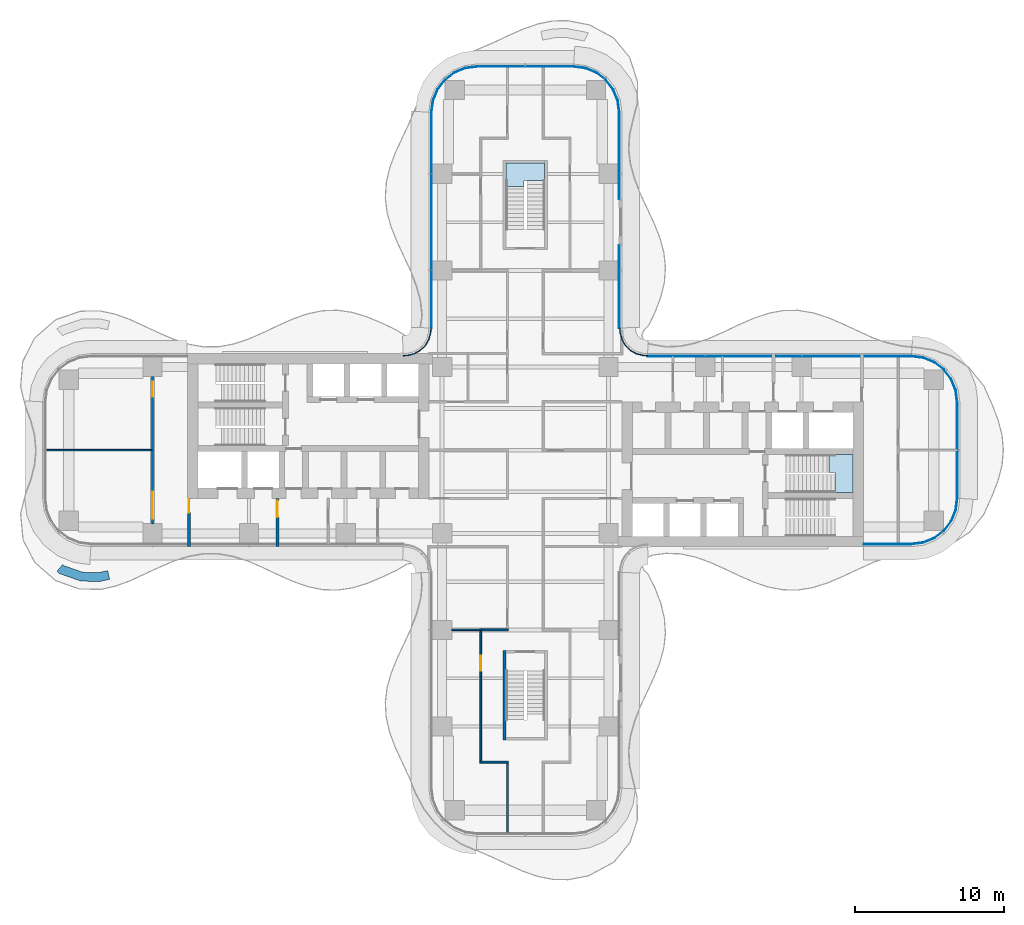
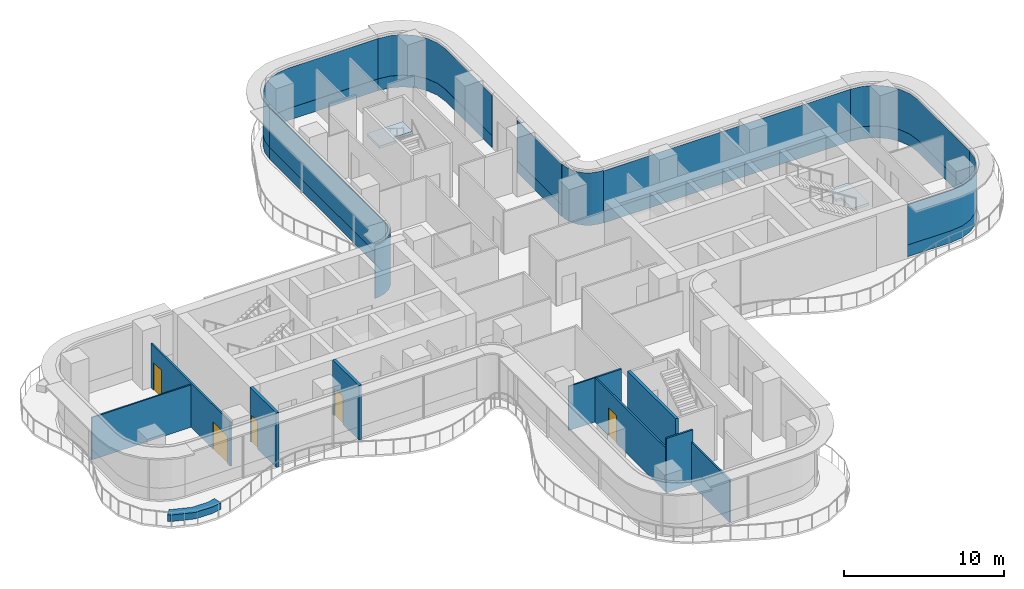
# One storey, part 14 of 20: 16 plates, 11 walls, 5 doors, 2 slabs, 5 openings, 11 elements without a shape of their own.
"""IFC4 building model written with IfcOpenShell, lengths in metres."""

from ifc_helpers import new_model, si_unit, direction, frame, frame_2d, origin, place, context, subcontext, project, spatial, polyline, rectangle, outline, extrude, source, transform, mapped, material, layer, layer_set, type_object, element, fill, aggregate, save


model = new_model("IFC4")

# Units and contexts
model_context = context("Model", 3, precision=1e-05, world=origin(), true_north=direction((0.0, 1.0)))
body_context = subcontext(model_context, "Body", "Model", "MODEL_VIEW")
ifc_project = project(units=[si_unit("LENGTHUNIT", "METRE"), si_unit("AREAUNIT", "SQUARE_METRE"), si_unit("VOLUMEUNIT", "CUBIC_METRE"), si_unit("PLANEANGLEUNIT", "RADIAN"), si_unit("MASSUNIT", "GRAM", prefix="KILO")], contexts=[model_context])

# Site, building, storey
site_placement = place(None, origin())
site = spatial("IfcSite", under=ifc_project, at=site_placement, CompositionType="ELEMENT")
building_placement = place(site_placement, origin())
building = spatial("IfcBuilding", under=site, at=building_placement, Name="Trellis Farm Tower", CompositionType="ELEMENT")
storey_placement = place(building_placement, frame((0.0, 0.0, 151.5)))
storey = spatial("IfcBuildingStorey", under=building, at=storey_placement, Name="L32", CompositionType="ELEMENT", Elevation=151.5)

# Curtain wall, plate
ifc_material_1 = material(Name="Aluminium and glass curtain wall", Category="aluminium")
ifc_layer_1 = layer(ifc_material_1, 0.18994140625)
ifc_layer_set_1 = layer_set([ifc_layer_1], Name="RIBBON CURTAIN WALL CW1")
curtain_wall_type_1 = type_object("IfcCurtainWallType", Name="RIBBON CURTAIN WALL CW1", PredefinedType="NOTDEFINED", material=ifc_layer_set_1)
placement_1 = place(storey_placement, origin())
curtain_wall_1 = element("IfcCurtainWall", 1, at=placement_1, inside=storey, type_object=curtain_wall_type_1, Name="CW1 006", PredefinedType="NOTDEFINED")
ifc_material_2 = material(Name="Clear insulated glass", Category="glass")
ifc_layer_2 = layer(ifc_material_2, 0.0400390625)
ifc_layer_set_2 = layer_set([ifc_layer_2], Name="CW1 GLASS PANEL 40")
plate_type_1 = type_object("IfcPlateType", Name="CW1 GLASS PANEL 40", PredefinedType="CURTAIN_PANEL", material=ifc_layer_set_2)
placement_2 = place(storey_placement, frame((0.0, 0.0, 0.89990234375)))
plate_1 = element("IfcPlate", 2, at=placement_2, type_object=plate_type_1, Name="PL1 006", PredefinedType="CURTAIN_PANEL", context=body_context, shape_type="SweptSolid", body=[
    extrude(outline(polyline([(22.780029296875, -6.35009765625), (25.990234375, -6.35009765625), (26.802001953125, -6.2431640625), (27.54931640625, -5.93359375), (28.191162109375, -5.441162109375), (28.68359375, -4.79931640625), (28.9931640625, -4.052001953125), (29.10009765625, -3.240234375), (29.06005859375, -3.237548828125), (28.9541015625, -4.04150390625), (28.648681640625, -4.779296875), (28.16259765625, -5.41259765625), (27.529296875, -5.898681640625), (26.79150390625, -6.2041015625), (25.987548828125, -6.31005859375), (22.780029296875, -6.31005859375), (22.780029296875, -6.35009765625)])), origin(), (0.0, 0.0, 1.0), 3.070068359375),
])

curtain_wall_2 = element("IfcCurtainWall", 3, at=placement_1, inside=storey, type_object=curtain_wall_type_1, Name="CW1 007", PredefinedType="NOTDEFINED")
plate_2 = element("IfcPlate", 4, at=placement_2, type_object=plate_type_1, Name="PL1 007", PredefinedType="CURTAIN_PANEL", context=body_context, shape_type="SweptSolid", body=[
    extrude(outline(polyline([(29.10009765625, -3.240234375), (29.10009765625, 3.240234375), (28.9931640625, 4.052001953125), (28.68359375, 4.79931640625), (28.191162109375, 5.441162109375), (27.54931640625, 5.93359375), (26.802001953125, 6.2431640625), (25.990234375, 6.35009765625), (25.987548828125, 6.31005859375), (26.79150390625, 6.2041015625), (27.529296875, 5.898681640625), (28.16259765625, 5.41259765625), (28.648681640625, 4.779296875), (28.9541015625, 4.04150390625), (29.06005859375, 3.237548828125), (29.06005859375, -3.237548828125), (29.10009765625, -3.240234375)])), origin(), (0.0, 0.0, 1.0), 3.070068359375),
])

curtain_wall_3 = element("IfcCurtainWall", 5, at=placement_1, inside=storey, type_object=curtain_wall_type_1, Name="CW1 008", PredefinedType="NOTDEFINED")
plate_3 = element("IfcPlate", 6, at=placement_2, type_object=plate_type_1, Name="PL1 008", PredefinedType="CURTAIN_PANEL", context=body_context, shape_type="SweptSolid", body=[
    extrude(outline(polyline([(25.990234375, 6.35009765625), (8.2265625, 6.35009765625), (8.22509765625, 6.31005859375), (25.987548828125, 6.31005859375), (25.990234375, 6.35009765625)])), origin(), (0.0, 0.0, 1.0), 3.070068359375),
])

curtain_wall_4 = element("IfcCurtainWall", 7, at=placement_1, inside=storey, type_object=curtain_wall_type_1, Name="CW1 009", PredefinedType="NOTDEFINED")
plate_4 = element("IfcPlate", 8, at=placement_2, type_object=plate_type_1, Name="PL1 009", PredefinedType="CURTAIN_PANEL", context=body_context, shape_type="SweptSolid", body=[
    extrude(outline(polyline([(6.35009765625, 8.2265625), (6.35009765625, 13.7900390625), (6.31005859375, 13.7900390625), (6.31005859375, 8.22509765625), (6.35009765625, 8.2265625)])), origin(), (0.0, 0.0, 1.0), 3.070068359375),
])

curtain_wall_5 = element("IfcCurtainWall", 9, at=placement_1, inside=storey, type_object=curtain_wall_type_1, Name="CW1 010", PredefinedType="NOTDEFINED")
plate_5 = element("IfcPlate", 10, at=placement_2, type_object=plate_type_1, Name="PL1 010", PredefinedType="CURTAIN_PANEL", context=body_context, shape_type="SweptSolid", body=[
    extrude(outline(polyline([(6.35009765625, 16.909912109375), (6.35009765625, 22.740234375), (6.2431640625, 23.552001953125), (5.93359375, 24.29931640625), (5.441162109375, 24.941162109375), (4.79931640625, 25.43359375), (4.052001953125, 25.7431640625), (3.240234375, 25.85009765625), (3.237548828125, 25.81005859375), (4.04150390625, 25.7041015625), (4.779296875, 25.398681640625), (5.41259765625, 24.91259765625), (5.898681640625, 24.279296875), (6.2041015625, 23.54150390625), (6.31005859375, 22.737548828125), (6.31005859375, 16.909912109375), (6.35009765625, 16.909912109375)])), origin(), (0.0, 0.0, 1.0), 3.070068359375),
])

curtain_wall_6 = element("IfcCurtainWall", 11, at=placement_1, inside=storey, type_object=curtain_wall_type_1, Name="CW1 011", PredefinedType="NOTDEFINED")
plate_6 = element("IfcPlate", 12, at=placement_2, type_object=plate_type_1, Name="PL1 011", PredefinedType="CURTAIN_PANEL", context=body_context, shape_type="SweptSolid", body=[
    extrude(outline(polyline([(3.240234375, 25.85009765625), (-3.240234375, 25.85009765625), (-4.052001953125, 25.7431640625), (-4.79931640625, 25.43359375), (-5.441162109375, 24.941162109375), (-5.93359375, 24.29931640625), (-6.2431640625, 23.552001953125), (-6.35009765625, 22.740234375), (-6.31005859375, 22.737548828125), (-6.2041015625, 23.54150390625), (-5.898681640625, 24.279296875), (-5.41259765625, 24.91259765625), (-4.779296875, 25.398681640625), (-4.04150390625, 25.7041015625), (-3.237548828125, 25.81005859375), (3.237548828125, 25.81005859375), (3.240234375, 25.85009765625)])), origin(), (0.0, 0.0, 1.0), 3.070068359375),
])

curtain_wall_7 = element("IfcCurtainWall", 13, at=placement_1, inside=storey, type_object=curtain_wall_type_1, Name="CW1 012", PredefinedType="NOTDEFINED")
plate_7 = element("IfcPlate", 14, at=placement_2, type_object=plate_type_1, Name="PL1 012", PredefinedType="CURTAIN_PANEL", context=body_context, shape_type="SweptSolid", body=[
    extrude(outline(polyline([(-6.35009765625, 22.740234375), (-6.35009765625, 8.2265625), (-6.31005859375, 8.22509765625), (-6.31005859375, 22.737548828125), (-6.35009765625, 22.740234375)])), origin(), (0.0, 0.0, 1.0), 3.070068359375),
])

# Plate
ifc_material_3 = material(Name="Sandstone faced insulated panel", Category="masonry")
ifc_layer_3 = layer(ifc_material_3, 0.050048828125)
ifc_layer_set_3 = layer_set([ifc_layer_3], Name="CW1 STONE SPANDREL PANEL 50")
plate_type_2 = type_object("IfcPlateType", Name="CW1 STONE SPANDREL PANEL 50", PredefinedType="CURTAIN_PANEL", material=ifc_layer_set_3)
plate_8 = element("IfcPlate", 15, at=placement_1, type_object=plate_type_2, Name="PS1 009", PredefinedType="CURTAIN_PANEL", context=body_context, shape_type="SweptSolid", body=[
    extrude(outline(polyline([(6.35009765625, 8.2265625), (6.35009765625, 13.7900390625), (6.300048828125, 13.7900390625), (6.300048828125, 8.224853515625), (6.35009765625, 8.2265625)])), origin(), (0.0, 0.0, 1.0), 0.89990234375),
])

aggregate(curtain_wall_4, [plate_4, plate_8])

plate_9 = element("IfcPlate", 16, at=placement_1, type_object=plate_type_2, Name="PS1 010", PredefinedType="CURTAIN_PANEL", context=body_context, shape_type="SweptSolid", body=[
    extrude(outline(polyline([(6.35009765625, 16.909912109375), (6.35009765625, 22.740234375), (6.2431640625, 23.552001953125), (5.93359375, 24.29931640625), (5.441162109375, 24.941162109375), (4.79931640625, 25.43359375), (4.052001953125, 25.7431640625), (3.240234375, 25.85009765625), (3.23681640625, 25.800048828125), (4.0390625, 25.6943359375), (4.774169921875, 25.389892578125), (5.405517578125, 24.905517578125), (5.889892578125, 24.274169921875), (6.1943359375, 23.5390625), (6.300048828125, 22.73681640625), (6.300048828125, 16.909912109375), (6.35009765625, 16.909912109375)])), origin(), (0.0, 0.0, 1.0), 0.89990234375),
])

aggregate(curtain_wall_5, [plate_5, plate_9])

# Curtain wall, plate
ifc_layer_4 = layer(ifc_material_1, 0.166015625)
ifc_layer_set_4 = layer_set([ifc_layer_4], Name="WINTER GARDEN CURTAIN WALL CW3")
curtain_wall_type_2 = type_object("IfcCurtainWallType", Name="WINTER GARDEN CURTAIN WALL CW3", PredefinedType="NOTDEFINED", material=ifc_layer_set_4)
curtain_wall_8 = element("IfcCurtainWall", 17, at=placement_1, inside=storey, type_object=curtain_wall_type_2, Name="CW3 003", PredefinedType="NOTDEFINED")
ifc_layer_5 = layer(ifc_material_2, 0.0458984375)
ifc_layer_set_5 = layer_set([ifc_layer_5], Name="CW3 GLASS PANEL 46")
plate_type_3 = type_object("IfcPlateType", Name="CW3 GLASS PANEL 46", PredefinedType="CURTAIN_PANEL", material=ifc_layer_set_5)
plate_10 = element("IfcPlate", 18, at=placement_1, type_object=plate_type_3, Name="PL3 003", PredefinedType="CURTAIN_PANEL", context=body_context, shape_type="SweptSolid", body=[
    extrude(outline(polyline([(8.2275390625, 6.3798828125), (8.0078125, 6.394287109375), (7.89208984375, 6.40966796875), (7.462158203125, 6.52490234375), (7.070556640625, 6.7509765625), (6.7509765625, 7.070556640625), (6.52490234375, 7.462158203125), (6.40966796875, 7.89208984375), (6.394287109375, 8.0078125), (6.3798828125, 8.2275390625), (6.333984375, 8.22607421875), (6.3486328125, 8.003173828125), (6.364501953125, 7.883056640625), (6.48193359375, 7.4443359375), (6.714111328125, 7.04248046875), (7.04248046875, 6.714111328125), (7.4443359375, 6.48193359375), (7.883056640625, 6.364501953125), (8.003173828125, 6.3486328125), (8.22607421875, 6.333984375), (8.2275390625, 6.3798828125)])), origin(), (0.0, 0.0, 1.0), 4.0),
])
aggregate(curtain_wall_8, [plate_10])

curtain_wall_9 = element("IfcCurtainWall", 19, at=placement_1, inside=storey, type_object=curtain_wall_type_2, Name="CW3 004", PredefinedType="NOTDEFINED")
plate_11 = element("IfcPlate", 20, at=placement_1, type_object=plate_type_3, Name="PL3 004", PredefinedType="CURTAIN_PANEL", context=body_context, shape_type="SweptSolid", body=[
    extrude(outline(polyline([(-6.3798828125, 8.2275390625), (-6.394287109375, 8.0078125), (-6.40966796875, 7.89208984375), (-6.52490234375, 7.462158203125), (-6.7509765625, 7.070556640625), (-7.070556640625, 6.7509765625), (-7.462158203125, 6.52490234375), (-7.89208984375, 6.40966796875), (-8.0078125, 6.394287109375), (-8.2275390625, 6.3798828125), (-8.22607421875, 6.333984375), (-8.003173828125, 6.3486328125), (-7.883056640625, 6.364501953125), (-7.4443359375, 6.48193359375), (-7.04248046875, 6.714111328125), (-6.714111328125, 7.04248046875), (-6.48193359375, 7.4443359375), (-6.364501953125, 7.883056640625), (-6.3486328125, 8.003173828125), (-6.333984375, 8.22607421875), (-6.3798828125, 8.2275390625)])), origin(), (0.0, 0.0, 1.0), 4.0),
])
aggregate(curtain_wall_9, [plate_11])

# Stair, slab
ifc_material_4 = material(Name="Concrete C50/60", Category="concrete")
stair_type = type_object("IfcStairType", Name="CORE EXIT STAIR 26 RISERS 173 MM", PredefinedType="HALF_TURN_STAIR", material=ifc_material_4)
stair_1 = element("IfcStair", 21, at=placement_1, inside=storey, type_object=stair_type, Name="Exit stair N", PredefinedType="HALF_TURN_STAIR")
ifc_layer_6 = layer(ifc_material_4, 0.18994140625)
ifc_layer_set_6 = layer_set([ifc_layer_6], Name="CORE STAIR LANDING 190 CONCRETE C50/60")
slab_type = type_object("IfcSlabType", Name="CORE STAIR LANDING 190 CONCRETE C50/60", PredefinedType="LANDING", material=ifc_layer_set_6)
shared_shape_1 = source(origin(), body_context, "Body", "SweptSolid", [
    extrude(outline(polyline([(-0.10009765625, 17.753173828125), (-1.300048828125, 17.753173828125), (-1.300048828125, 18.14990234375), (-1.300048828125, 19.35009765625), (1.300048828125, 19.35009765625), (1.300048828125, 18.14990234375), (1.300048828125, 18.139892578125), (0.10009765625, 18.139892578125), (0.10009765625, 18.14990234375), (-0.10009765625, 18.14990234375), (-0.10009765625, 17.753173828125)])), origin(), (0.0, 0.0, 1.0), 0.18994140625),
])
placement_3 = place(storey_placement, frame((0.0, 0.0, 2.06005859375)))
slab_1 = element("IfcSlab", 22, at=placement_3, type_object=slab_type, Name="STN landing 1", PredefinedType="LANDING", context=body_context, shape_type="MappedRepresentation", body=[
    mapped(shared_shape_1, transform((0.0, 0.0, 0.0))),
])
aggregate(stair_1, [slab_1])

stair_2 = element("IfcStair", 23, at=placement_1, inside=storey, type_object=stair_type, Name="Exit stair E2", PredefinedType="HALF_TURN_STAIR")
shared_shape_2 = source(origin(), body_context, "Body", "SweptSolid", [
    extrude(outline(polyline([(20.840087890625, -2.85009765625), (20.840087890625, -1.64990234375), (20.85009765625, -1.64990234375), (20.85009765625, -1.5), (20.453125, -1.5), (20.453125, -0.300048828125), (20.85009765625, -0.300048828125), (22.050048828125, -0.300048828125), (22.050048828125, -2.85009765625), (20.85009765625, -2.85009765625), (20.840087890625, -2.85009765625)])), origin(), (0.0, 0.0, 1.0), 0.18994140625),
])
slab_2 = element("IfcSlab", 24, at=placement_3, type_object=slab_type, Name="STE2 landing 1", PredefinedType="LANDING", context=body_context, shape_type="MappedRepresentation", body=[
    mapped(shared_shape_2, transform((0.0, 0.0, 0.0))),
])
aggregate(stair_2, [slab_2])

# Plate
shared_shape_3 = source(origin(), body_context, "Body", "SweptSolid", [
    extrude(outline(polyline([(-6.35009765625, 22.740234375), (-6.35009765625, 8.2265625), (-6.300048828125, 8.224853515625), (-6.300048828125, 22.73681640625), (-6.35009765625, 22.740234375)])), origin(), (0.0, 0.0, 1.0), 0.89990234375),
])
plate_12 = element("IfcPlate", 25, at=placement_1, type_object=plate_type_2, Name="PS1 012", PredefinedType="CURTAIN_PANEL", context=body_context, shape_type="MappedRepresentation", body=[
    mapped(shared_shape_3, transform((0.0, 0.0, 0.0))),
])

aggregate(curtain_wall_7, [plate_7, plate_12])

shared_shape_4 = source(origin(), body_context, "Body", "SweptSolid", [
    extrude(outline(polyline([(3.240234375, 25.85009765625), (-3.240234375, 25.85009765625), (-4.052001953125, 25.7431640625), (-4.79931640625, 25.43359375), (-5.441162109375, 24.941162109375), (-5.93359375, 24.29931640625), (-6.2431640625, 23.552001953125), (-6.35009765625, 22.740234375), (-6.300048828125, 22.73681640625), (-6.1943359375, 23.5390625), (-5.889892578125, 24.274169921875), (-5.405517578125, 24.905517578125), (-4.774169921875, 25.389892578125), (-4.0390625, 25.6943359375), (-3.23681640625, 25.800048828125), (3.23681640625, 25.800048828125), (3.240234375, 25.85009765625)])), origin(), (0.0, 0.0, 1.0), 0.89990234375),
])
plate_13 = element("IfcPlate", 26, at=placement_1, type_object=plate_type_2, Name="PS1 011", PredefinedType="CURTAIN_PANEL", context=body_context, shape_type="MappedRepresentation", body=[
    mapped(shared_shape_4, transform((0.0, 0.0, 0.0))),
])

aggregate(curtain_wall_6, [plate_6, plate_13])

shared_shape_5 = source(origin(), body_context, "Body", "SweptSolid", [
    extrude(outline(polyline([(22.780029296875, -6.35009765625), (25.990234375, -6.35009765625), (26.802001953125, -6.2431640625), (27.54931640625, -5.93359375), (28.191162109375, -5.441162109375), (28.68359375, -4.79931640625), (28.9931640625, -4.052001953125), (29.10009765625, -3.240234375), (29.050048828125, -3.23681640625), (28.9443359375, -4.0390625), (28.639892578125, -4.774169921875), (28.155517578125, -5.405517578125), (27.524169921875, -5.889892578125), (26.7890625, -6.1943359375), (25.98681640625, -6.300048828125), (22.780029296875, -6.300048828125), (22.780029296875, -6.35009765625)])), origin(), (0.0, 0.0, 1.0), 0.89990234375),
])
plate_14 = element("IfcPlate", 27, at=placement_1, type_object=plate_type_2, Name="PS1 006", PredefinedType="CURTAIN_PANEL", context=body_context, shape_type="MappedRepresentation", body=[
    mapped(shared_shape_5, transform((0.0, 0.0, 0.0))),
])

aggregate(curtain_wall_1, [plate_1, plate_14])

shared_shape_6 = source(origin(), body_context, "Body", "SweptSolid", [
    extrude(outline(polyline([(25.990234375, 6.35009765625), (8.2265625, 6.35009765625), (8.224853515625, 6.300048828125), (25.98681640625, 6.300048828125), (25.990234375, 6.35009765625)])), origin(), (0.0, 0.0, 1.0), 0.89990234375),
])
plate_15 = element("IfcPlate", 28, at=placement_1, type_object=plate_type_2, Name="PS1 008", PredefinedType="CURTAIN_PANEL", context=body_context, shape_type="MappedRepresentation", body=[
    mapped(shared_shape_6, transform((0.0, 0.0, 0.0))),
])

aggregate(curtain_wall_3, [plate_3, plate_15])

shared_shape_7 = source(origin(), body_context, "Body", "SweptSolid", [
    extrude(outline(polyline([(29.10009765625, -3.240234375), (29.10009765625, 3.240234375), (28.9931640625, 4.052001953125), (28.68359375, 4.79931640625), (28.191162109375, 5.441162109375), (27.54931640625, 5.93359375), (26.802001953125, 6.2431640625), (25.990234375, 6.35009765625), (25.98681640625, 6.300048828125), (26.7890625, 6.1943359375), (27.524169921875, 5.889892578125), (28.155517578125, 5.405517578125), (28.639892578125, 4.774169921875), (28.9443359375, 4.0390625), (29.050048828125, 3.23681640625), (29.050048828125, -3.23681640625), (29.10009765625, -3.240234375)])), origin(), (0.0, 0.0, 1.0), 0.89990234375),
])
plate_16 = element("IfcPlate", 29, at=placement_1, type_object=plate_type_2, Name="PS1 007", PredefinedType="CURTAIN_PANEL", context=body_context, shape_type="MappedRepresentation", body=[
    mapped(shared_shape_7, transform((0.0, 0.0, 0.0))),
])

aggregate(curtain_wall_2, [plate_2, plate_16])

# Wall
ifc_material_5 = material(Name="Plasterboard on steel studs", Category="steel")
ifc_layer_7 = layer(ifc_material_5, 0.10009765625)
ifc_layer_set_7 = layer_set([ifc_layer_7], Name="PARTITION 100 STUD EI 30")
wall_type_1 = type_object("IfcWallType", Name="PARTITION 100 STUD EI 30", PredefinedType="PARTITIONING", material=ifc_layer_set_7)
wall_1_placement = place(storey_placement, frame((-32.300048828125, 0.0, 0.0), z_axis=(0.0, 0.0, 1.0), x_axis=(1.0, 0.0, 0.0)))
element("IfcWall", 30, at=wall_1_placement, inside=storey, type_object=wall_type_1, Name="Partition PW2", PredefinedType="PARTITIONING", context=body_context, shape_type="SweptSolid", body=[
    extrude(rectangle(XDim=7.137451171875, YDim=0.10009765625, at=frame_2d((3.56884765625, 0.0))), origin(), (0.0, 0.0, 1.0), 3.22998046875),
])

# Wall, openings, doors
ifc_material_6 = material(Name="Plasterboard on steel studs, mineral wool", Category="steel")
ifc_layer_8 = layer(ifc_material_6, 0.125)
ifc_layer_set_8 = layer_set([ifc_layer_8], Name="PARTITION 125 STUD EI 60")
wall_type_2 = type_object("IfcWallType", Name="PARTITION 125 STUD EI 60", PredefinedType="PARTITIONING", material=ifc_layer_set_8)
wall_2_placement = place(storey_placement, frame((-25.10009765625, -4.949951171875, 0.0), z_axis=(0.0, 0.0, 1.0), x_axis=(0.0, 1.0, 0.0)))
wall_2 = element("IfcWall", 31, at=wall_2_placement, inside=storey, type_object=wall_type_2, Name="Partition PW1", PredefinedType="PARTITIONING", context=body_context, shape_type="SweptSolid", body=[
    extrude(rectangle(XDim=9.89990234375, YDim=0.125, at=frame_2d((4.949951171875, 0.0))), origin(), (0.0, 0.0, 1.0), 3.367919921875),
])
shared_shape_8 = source(origin(), body_context, "Body", "SweptSolid", [
    extrude(rectangle(XDim=1.800048828125, YDim=2.10009765625, at=frame_2d((0.89990234375, 1.050048828125))), frame((0.0, 0.072509765625, 0.0), z_axis=(0.0, -1.0, 0.0), x_axis=(1.0, 0.0, 0.0)), (0.0, 0.0, 1.0), 0.14501953125),
])
opening_1_placement = place(wall_2_placement, frame((0.35009765625, 0.0, 0.0)))
opening_1 = element("IfcOpeningElement", 32, at=opening_1_placement, cuts=wall_2, Name="Opening D201", PredefinedType="OPENING", context=body_context, shape_type="MappedRepresentation", body=[
    mapped(shared_shape_8, transform((0.0, 0.0, 0.0))),
])
shared_shape_9 = source(origin(), body_context, "Body", "SweptSolid", [
    extrude(rectangle(XDim=1.0, YDim=2.10009765625, at=frame_2d((0.5, 1.050048828125))), frame((0.0, 0.072509765625, 0.0), z_axis=(0.0, -1.0, 0.0), x_axis=(1.0, 0.0, 0.0)), (0.0, 0.0, 1.0), 0.14501953125),
])
opening_2_placement = place(wall_2_placement, frame((8.550048828125, 0.0, 0.0)))
opening_2 = element("IfcOpeningElement", 33, at=opening_2_placement, cuts=wall_2, Name="Opening D109", PredefinedType="OPENING", context=body_context, shape_type="MappedRepresentation", body=[
    mapped(shared_shape_9, transform((0.0, 0.0, 0.0))),
])
ifc_material_7 = material(Name="Fire-rated timber door leaf in a hollow metal frame", Category="wood")
door_type_1 = type_object("IfcDoorType", Name="DOOR 1000x2100 FD30S", OperationType="NOTDEFINED", PredefinedType="DOOR", material=ifc_material_7)
shared_shape_10 = source(origin(), body_context, "Body", "SweptSolid", [
    extrude(rectangle(XDim=1.0, YDim=2.10009765625, at=frame_2d((0.5, 1.050048828125))), frame((0.0, 0.02490234375, 0.0), z_axis=(0.0, -1.0, 0.0), x_axis=(1.0, 0.0, 0.0)), (0.0, 0.0, 1.0), 0.050048828125),
])
door_1_placement = place(opening_2_placement, origin())
door_1 = element("IfcDoor", 34, at=door_1_placement, inside=storey, type_object=door_type_1, Name="Door D109", OperationType="SINGLE_SWING_RIGHT", OverallHeight=2.10009765625, OverallWidth=1.0, PredefinedType="DOOR", context=body_context, shape_type="MappedRepresentation", body=[
    mapped(shared_shape_10, transform((0.0, 0.0, 0.0))),
])
fill(opening_2, door_1)
door_type_2 = type_object("IfcDoorType", Name="DOOR PAIR 1800x2100 FD30S", OperationType="NOTDEFINED", PredefinedType="DOOR", material=ifc_material_7)
shared_shape_11 = source(origin(), body_context, "Body", "SweptSolid", [
    extrude(rectangle(XDim=1.800048828125, YDim=2.10009765625, at=frame_2d((0.89990234375, 1.050048828125))), frame((0.0, 0.02490234375, 0.0), z_axis=(0.0, -1.0, 0.0), x_axis=(1.0, 0.0, 0.0)), (0.0, 0.0, 1.0), 0.050048828125),
])
door_2_placement = place(opening_1_placement, origin())
door_2 = element("IfcDoor", 35, at=door_2_placement, inside=storey, type_object=door_type_2, Name="Door D201", OperationType="DOUBLE_DOOR_SINGLE_SWING", OverallHeight=2.10009765625, OverallWidth=1.800048828125, PredefinedType="DOOR", context=body_context, shape_type="MappedRepresentation", body=[
    mapped(shared_shape_11, transform((0.0, 0.0, 0.0))),
])
fill(opening_1, door_2)

# Wall
ifc_material_8 = material(Name="Sandstone faced masonry planter", Category="masonry")
ifc_layer_9 = layer(ifc_material_8, 0.60009765625)
ifc_layer_set_9 = layer_set([ifc_layer_9], Name="PLANTER BED 600")
wall_type_3 = type_object("IfcWallType", Name="PLANTER BED 600", PredefinedType="USERDEFINED", material=ifc_layer_set_9)
element("IfcWall", 36, at=placement_1, inside=storey, type_object=wall_type_3, Name="PLANTER bed", ObjectType="PLANTER", PredefinedType="USERDEFINED", context=body_context, shape_type="SweptSolid", body=[
    extrude(outline(polyline([(-29.924072265625, -8.814697265625), (-31.36181640625, -8.308837890625), (-31.540771484375, -8.1533203125), (-31.1474609375, -7.7001953125), (-31.0546875, -7.781005859375), (-29.815673828125, -8.216796875), (-28.713623046875, -8.239501953125), (-28.120849609375, -8.107177734375), (-27.990234375, -8.69287109375), (-28.653564453125, -8.8408203125), (-29.924072265625, -8.814697265625)])), origin(), (0.0, 0.0, 1.0), 0.5),
])

# Wall, opening, door
ifc_material_9 = material(Name="Masonry blockwork", Category="masonry")
ifc_layer_10 = layer(ifc_material_9, 0.199951171875)
ifc_layer_set_10 = layer_set([ifc_layer_10], Name="FIRE LOBBY PARTITION 200 BLOCKWORK")
wall_type_4 = type_object("IfcWallType", Name="FIRE LOBBY PARTITION 200 BLOCKWORK", PredefinedType="PARTITIONING", material=ifc_layer_set_10)
shared_shape_12 = source(origin(), body_context, "Body", "SweptSolid", [
    extrude(rectangle(XDim=3.25, YDim=0.199951171875, at=frame_2d((1.625, 0.0))), origin(), (0.0, 0.0, 1.0), 4.14990234375),
])
wall_4_placement = place(storey_placement, frame((-16.699951171875, -3.25, 0.0), z_axis=(0.0, 0.0, 1.0), x_axis=(0.0, -1.0, 0.0)))
wall_4 = element("IfcWall", 37, at=wall_4_placement, inside=storey, type_object=wall_type_4, Name="Fire-fighting lobby partition", PredefinedType="PARTITIONING", context=body_context, shape_type="MappedRepresentation", body=[
    mapped(shared_shape_12, transform((0.0, 0.0, 0.0))),
])
shared_shape_13 = source(origin(), body_context, "Body", "SweptSolid", [
    extrude(rectangle(XDim=1.10009765625, YDim=2.10009765625, at=frame_2d((0.550048828125, 1.050048828125))), frame((0.0, 0.110107421875, 0.0), z_axis=(0.0, -1.0, 0.0), x_axis=(1.0, 0.0, 0.0)), (0.0, 0.0, 1.0), 0.22021484375),
])
opening_3_placement = place(wall_4_placement, frame((0.14990234375, 0.0, 0.0)))
opening_3 = element("IfcOpeningElement", 38, at=opening_3_placement, cuts=wall_4, Name="Opening DC93", PredefinedType="OPENING", context=body_context, shape_type="MappedRepresentation", body=[
    mapped(shared_shape_13, transform((0.0, 0.0, 0.0))),
])
ifc_material_10 = material(Name="Steel", Category="steel")
door_type_3 = type_object("IfcDoorType", Name="CORE FIRE DOOR 1100 X 2100", OperationType="NOTDEFINED", PredefinedType="DOOR", material=ifc_material_10)
shared_shape_14 = source(origin(), body_context, "Body", "SweptSolid", [
    extrude(rectangle(XDim=1.10009765625, YDim=2.10009765625, at=frame_2d((0.550048828125, 1.050048828125))), frame((0.0, 0.02490234375, 0.0), z_axis=(0.0, -1.0, 0.0), x_axis=(1.0, 0.0, 0.0)), (0.0, 0.0, 1.0), 0.050048828125),
])
door_3_placement = place(opening_3_placement, origin())
door_3 = element("IfcDoor", 39, at=door_3_placement, inside=storey, type_object=door_type_3, Name="Core door", OperationType="SINGLE_SWING_RIGHT", OverallHeight=2.10009765625, OverallWidth=1.10009765625, PredefinedType="DOOR", context=body_context, shape_type="MappedRepresentation", body=[
    mapped(shared_shape_14, transform((0.0, 0.0, 0.0))),
])
fill(opening_3, door_3)

wall_5_placement = place(storey_placement, frame((-22.64990234375, -3.25, 0.0), z_axis=(0.0, 0.0, 1.0), x_axis=(0.0, -1.0, 0.0)))
wall_5 = element("IfcWall", 40, at=wall_5_placement, inside=storey, type_object=wall_type_4, Name="Fire-fighting lobby partition", PredefinedType="PARTITIONING", context=body_context, shape_type="MappedRepresentation", body=[
    mapped(shared_shape_12, transform((0.0, 0.0, 0.0))),
])
shared_shape_15 = source(origin(), body_context, "Body", "SweptSolid", [
    extrude(rectangle(XDim=0.89990234375, YDim=2.10009765625, at=frame_2d((0.449951171875, 1.050048828125))), frame((0.0, 0.110107421875, 0.0), z_axis=(0.0, -1.0, 0.0), x_axis=(1.0, 0.0, 0.0)), (0.0, 0.0, 1.0), 0.22021484375),
])
opening_4_placement = place(wall_5_placement, frame((0.050048828125, 0.0, 0.0)))
opening_4 = element("IfcOpeningElement", 41, at=opening_4_placement, cuts=wall_5, Name="Opening DC94", PredefinedType="OPENING", context=body_context, shape_type="MappedRepresentation", body=[
    mapped(shared_shape_15, transform((0.0, 0.0, 0.0))),
])
door_type_4 = type_object("IfcDoorType", Name="CORE FIRE DOOR 900 X 2100", OperationType="NOTDEFINED", PredefinedType="DOOR", material=ifc_material_10)
shared_shape_16 = source(origin(), body_context, "Body", "SweptSolid", [
    extrude(rectangle(XDim=0.89990234375, YDim=2.10009765625, at=frame_2d((0.449951171875, 1.050048828125))), frame((0.0, 0.02490234375, 0.0), z_axis=(0.0, -1.0, 0.0), x_axis=(1.0, 0.0, 0.0)), (0.0, 0.0, 1.0), 0.050048828125),
])
door_4_placement = place(opening_4_placement, origin())
door_4 = element("IfcDoor", 42, at=door_4_placement, inside=storey, type_object=door_type_4, Name="Core door", OperationType="SINGLE_SWING_RIGHT", OverallHeight=2.10009765625, OverallWidth=0.89990234375, PredefinedType="DOOR", context=body_context, shape_type="MappedRepresentation", body=[
    mapped(shared_shape_16, transform((0.0, 0.0, 0.0))),
])
fill(opening_4, door_4)

# Wall
ifc_material_11 = material(Name="Concrete C70/85", Category="concrete")
ifc_layer_11 = layer(ifc_material_11, 0.199951171875)
ifc_layer_set_11 = layer_set([ifc_layer_11], Name="CORE STAIR ENCLOSURE WALL 200 CONCRETE C70/85")
wall_type_5 = type_object("IfcWallType", Name="CORE STAIR ENCLOSURE WALL 200 CONCRETE C70/85", PredefinedType="SHEAR", material=ifc_layer_set_11)
shared_shape_17 = source(origin(), body_context, "Body", "SweptSolid", [
    extrude(rectangle(XDim=6.0, YDim=0.199951171875, at=frame_2d((3.0, 0.0))), origin(), (0.0, 0.0, 1.0), 4.14990234375),
])
wall_6_placement = place(storey_placement, frame((-1.39990234375, -13.5, 0.0), z_axis=(0.0, 0.0, 1.0), x_axis=(0.0, -1.0, 0.0)))
element("IfcWall", 43, at=wall_6_placement, inside=storey, type_object=wall_type_5, Name="Stair enclosure wall", PredefinedType="SHEAR", context=body_context, shape_type="MappedRepresentation", body=[
    mapped(shared_shape_17, transform((0.0, 0.0, 0.0))),
])

# Wall, opening, door
shared_shape_18 = source(origin(), body_context, "Body", "SweptSolid", [
    extrude(rectangle(XDim=8.78759765625, YDim=0.125, at=frame_2d((4.393798828125, 0.0))), origin(), (0.0, 0.0, 1.0), 3.367919921875),
])
wall_7_placement = place(storey_placement, frame((-3.0, -20.9375, 0.0), z_axis=(0.0, 0.0, 1.0), x_axis=(0.0, 1.0, 0.0)))
wall_7 = element("IfcWall", 44, at=wall_7_placement, inside=storey, type_object=wall_type_2, Name="Partition PW1", PredefinedType="PARTITIONING", context=body_context, shape_type="MappedRepresentation", body=[
    mapped(shared_shape_18, transform((0.0, 0.0, 0.0))),
])
opening_5_placement = place(wall_7_placement, frame((6.08740234375, 0.0, 0.0)))
opening_5 = element("IfcOpeningElement", 45, at=opening_5_placement, cuts=wall_7, Name="Opening D102", PredefinedType="OPENING", context=body_context, shape_type="MappedRepresentation", body=[
    mapped(shared_shape_9, transform((0.0, 0.0, 0.0))),
])
door_5_placement = place(opening_5_placement, origin())
door_5 = element("IfcDoor", 46, at=door_5_placement, inside=storey, type_object=door_type_1, Name="Door D102", OperationType="SINGLE_SWING_RIGHT", OverallHeight=2.10009765625, OverallWidth=1.0, PredefinedType="DOOR", context=body_context, shape_type="MappedRepresentation", body=[
    mapped(shared_shape_10, transform((0.0, 0.0, 0.0))),
])
fill(opening_5, door_5)

# Walls
shared_shape_19 = source(origin(), body_context, "Body", "SweptSolid", [
    extrude(rectangle(XDim=4.737548828125, YDim=0.125, at=frame_2d((2.36865234375, 0.0))), origin(), (0.0, 0.0, 1.0), 3.22998046875),
])
wall_8_placement = place(storey_placement, frame((-1.199951171875, -21.0625, 0.0), z_axis=(0.0, 0.0, 1.0), x_axis=(0.0, -1.0, 0.0)))
element("IfcWall", 47, at=wall_8_placement, inside=storey, type_object=wall_type_2, Name="Partition PW1", PredefinedType="PARTITIONING", context=body_context, shape_type="MappedRepresentation", body=[
    mapped(shared_shape_19, transform((0.0, 0.0, 0.0))),
])
shared_shape_20 = source(origin(), body_context, "Body", "SweptSolid", [
    extrude(rectangle(XDim=1.925048828125, YDim=0.125, at=frame_2d((0.96240234375, 0.0))), origin(), (0.0, 0.0, 1.0), 4.14990234375),
])
wall_9_placement = place(storey_placement, frame((-1.137451171875, -21.0, 0.0), z_axis=(0.0, 0.0, 1.0), x_axis=(-1.0, 0.0, 0.0)))
element("IfcWall", 48, at=wall_9_placement, inside=storey, type_object=wall_type_2, Name="Partition PW1", PredefinedType="PARTITIONING", context=body_context, shape_type="MappedRepresentation", body=[
    mapped(shared_shape_20, transform((0.0, 0.0, 0.0))),
])
shared_shape_21 = source(origin(), body_context, "Body", "SweptSolid", [
    extrude(rectangle(XDim=1.925048828125, YDim=0.125, at=frame_2d((0.96240234375, 0.0))), origin(), (0.0, 0.0, 1.0), 3.367919921875),
])
wall_10_placement = place(storey_placement, frame((-3.0625, -12.10009765625, 0.0), z_axis=(0.0, 0.0, 1.0), x_axis=(1.0, 0.0, 0.0)))
element("IfcWall", 49, at=wall_10_placement, inside=storey, type_object=wall_type_2, Name="Partition PW1", PredefinedType="PARTITIONING", context=body_context, shape_type="MappedRepresentation", body=[
    mapped(shared_shape_21, transform((0.0, 0.0, 0.0))),
])
shared_shape_22 = source(origin(), body_context, "Body", "SweptSolid", [
    extrude(rectangle(XDim=2.012451171875, YDim=0.10009765625, at=frame_2d((1.00634765625, 0.0))), origin(), (0.0, 0.0, 1.0), 3.367919921875),
])
wall_11_placement = place(storey_placement, frame((-4.949951171875, -12.10009765625, 0.0), z_axis=(0.0, 0.0, 1.0), x_axis=(1.0, 0.0, 0.0)))
element("IfcWall", 50, at=wall_11_placement, inside=storey, type_object=wall_type_1, Name="Partition PW2", PredefinedType="PARTITIONING", context=body_context, shape_type="MappedRepresentation", body=[
    mapped(shared_shape_22, transform((0.0, 0.0, 0.0))),
])

save(model, "model.ifc")
